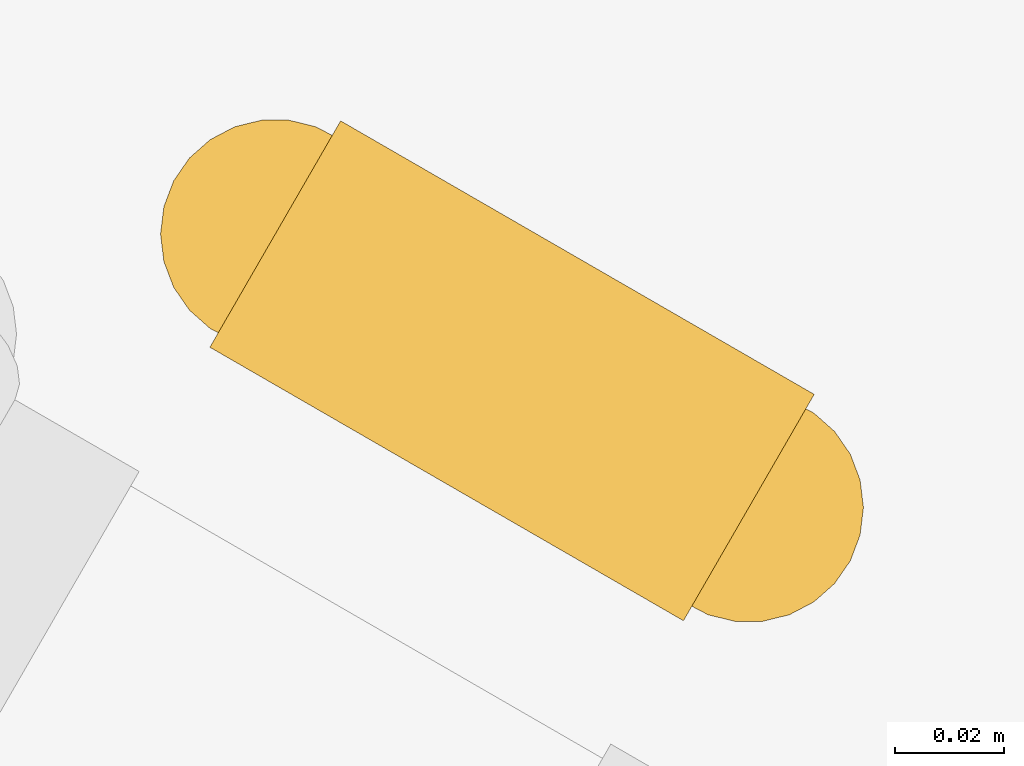
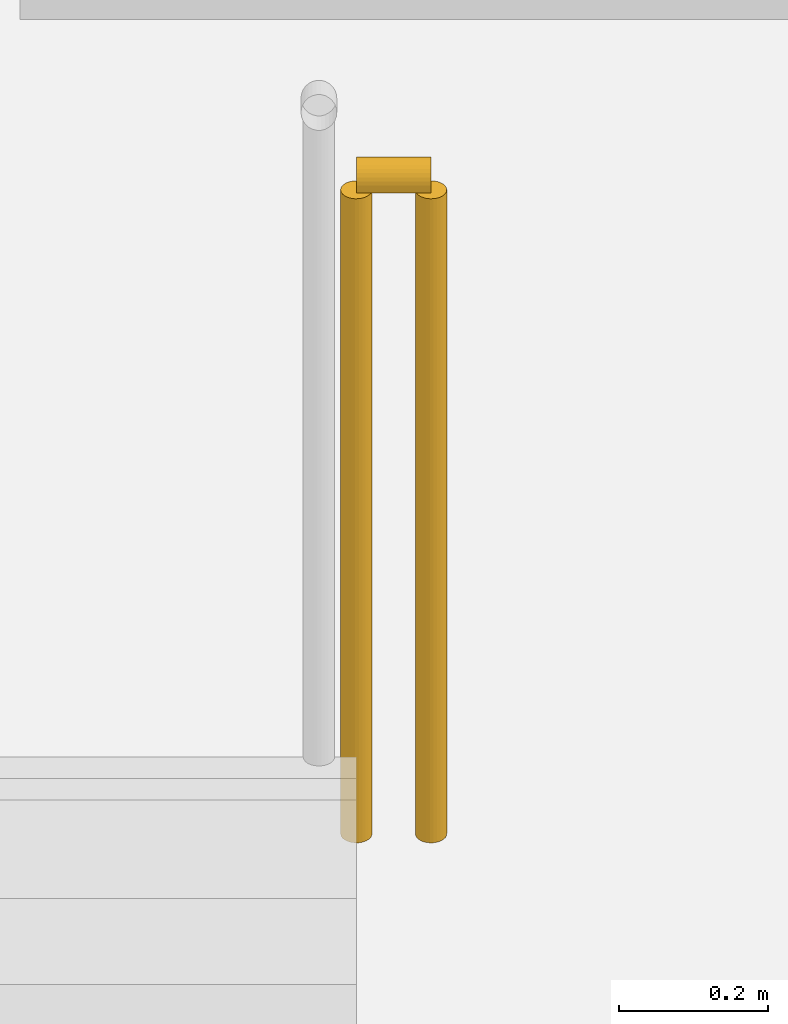
# One storey, part 51 of 63: 1 railing.
"""IFC4 building model written with IfcOpenShell, lengths in metres."""

from ifc_helpers import new_model, si_unit, direction, frame, origin, origin_2d, place, context, subcontext, project, spatial, circle, extrude, material, type_object, element, save


model = new_model("IFC4")

# Units and contexts
model_context = context("Model", 3, precision=1e-05, world=origin(), true_north=direction((0.0, 1.0)))
body_context = subcontext(model_context, "Body", "Model", "MODEL_VIEW")
ifc_project = project(units=[si_unit("LENGTHUNIT", "METRE"), si_unit("AREAUNIT", "SQUARE_METRE"), si_unit("VOLUMEUNIT", "CUBIC_METRE"), si_unit("PLANEANGLEUNIT", "RADIAN"), si_unit("MASSUNIT", "GRAM", prefix="KILO")], contexts=[model_context])

# Site, building, storey
site_placement = place(None, origin())
site = spatial("IfcSite", under=ifc_project, at=site_placement, CompositionType="ELEMENT")
building_placement = place(site_placement, origin())
building = spatial("IfcBuilding", under=site, at=building_placement, Name="Jabali Bay Hotel Tower and Convention Centre", CompositionType="ELEMENT")
storey_placement = place(building_placement, origin())
storey = spatial("IfcBuildingStorey", under=building, at=storey_placement, Name="L00", CompositionType="ELEMENT", Elevation=0.0)

# Railing
ifc_material = material(Name="Steel Q355B", Category="steel")
railing_type = type_object("IfcRailingType", Name="Stair guard 1100", PredefinedType="GUARDRAIL", material=ifc_material)
railing_placement = place(storey_placement, frame((96.95068359375, 109.81982421875, 0.0)))
element("IfcRailing", 1, at=railing_placement, inside=storey, type_object=railing_type, Name="L00 PS4 stair guard 8", PredefinedType="GUARDRAIL", context=body_context, shape_type="SweptSolid", body=[
    extrude(circle(Radius=0.02392578125, at=origin_2d()), frame((0.0, 0.0, 1.076171875), z_axis=(0.865982457891, -0.500074377092, 0.0), x_axis=(0.500074377092, 0.865982457891, 0.0)), (0.0, 0.0, 1.0), 0.10009765625),
    extrude(circle(Radius=0.02099609375, at=origin_2d()), origin(), (0.0, 0.0, 1.0), 1.052001953125),
    extrude(circle(Radius=0.02099609375, at=origin_2d()), frame((0.086669921875, -0.050048828125, 0.0)), (0.0, 0.0, 1.0), 1.052001953125),
])

save(model, "model.ifc")
